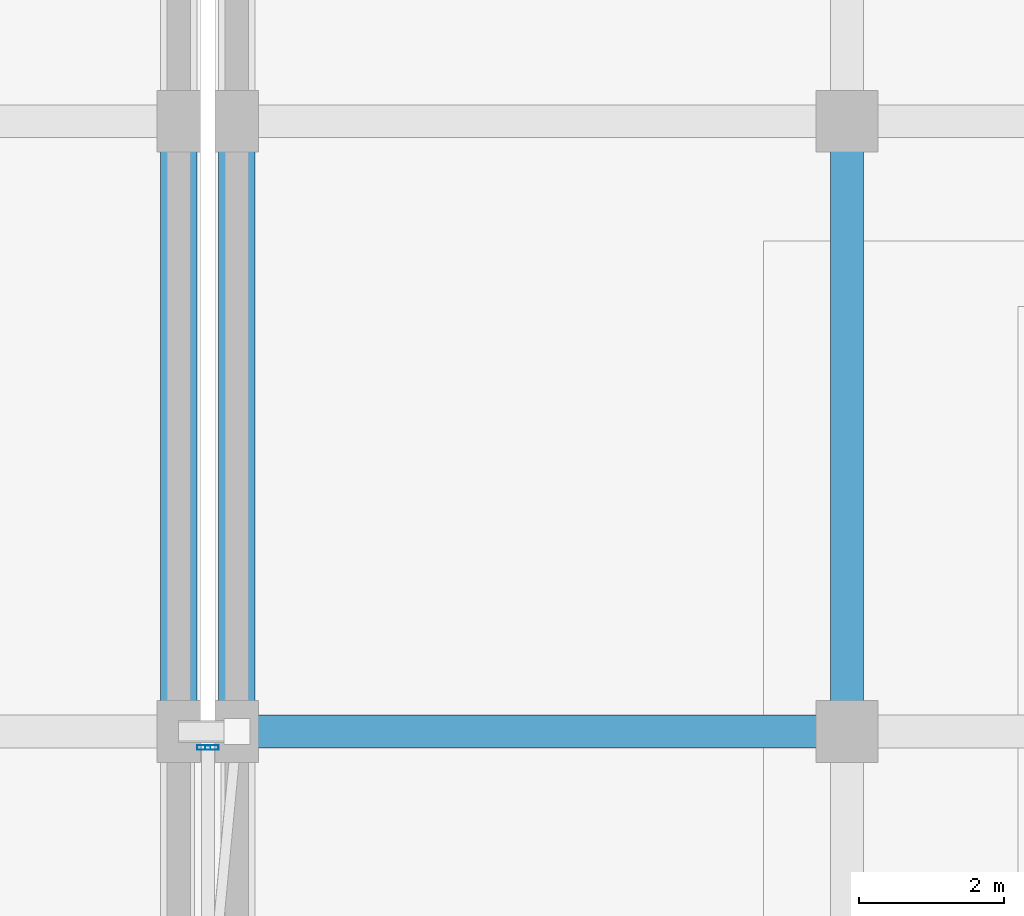
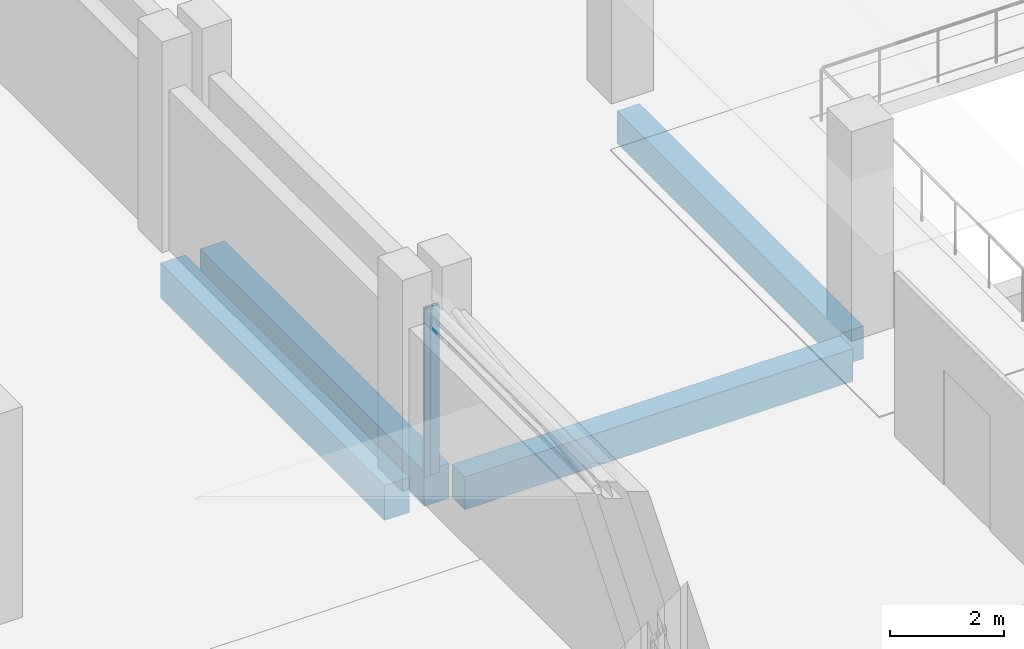
# One storey, part 39 of 137: 4 beams, 2 members, 1 element without a shape of its own.
"""IFC4 building model written with IfcOpenShell, lengths in metres."""

from ifc_helpers import new_model, si_unit, direction, frame, origin, origin_2d, place, context, subcontext, project, spatial, rectangle, hollow_rectangle, extrude, material, layer, layer_set, material_profile, profile_set, type_object, element, aggregate, save


model = new_model("IFC4")

# Units and contexts
model_context = context("Model", 3, precision=1e-05, world=origin(), true_north=direction((0.0, 1.0)))
body_context = subcontext(model_context, "Body", "Model", "MODEL_VIEW")
ifc_project = project(units=[si_unit("LENGTHUNIT", "METRE"), si_unit("AREAUNIT", "SQUARE_METRE"), si_unit("VOLUMEUNIT", "CUBIC_METRE"), si_unit("PLANEANGLEUNIT", "RADIAN"), si_unit("MASSUNIT", "GRAM", prefix="KILO")], contexts=[model_context])

# Site, building, storey
site_placement = place(None, origin())
site = spatial("IfcSite", under=ifc_project, at=site_placement, CompositionType="ELEMENT")
building_placement = place(site_placement, origin())
building = spatial("IfcBuilding", under=site, at=building_placement, Name="Xazarin Passage Department Store", CompositionType="ELEMENT")
storey_placement = place(building_placement, frame((0.0, 0.0, 5.39990234375)))
storey = spatial("IfcBuildingStorey", under=building, at=storey_placement, Name="L01", CompositionType="ELEMENT", Elevation=5.39990234375)

# Curtain wall, members
ifc_material_1 = material(Name="Bronze anodised aluminium", Category="aluminium")
ifc_layer = layer(ifc_material_1, 0.14990234375)
ifc_layer_set = layer_set([ifc_layer], Name="Bronze anodised aluminium")
curtain_wall_type = type_object("IfcCurtainWallType", Name="ARC-CW-BRG1", PredefinedType="NOTDEFINED", material=ifc_layer_set)
curtain_wall_placement = place(storey_placement, origin())
curtain_wall = element("IfcCurtainWall", 1, at=curtain_wall_placement, inside=storey, type_object=curtain_wall_type, Name="L01 BR-V2S-V3 Bridge Curtain Wall 2", PredefinedType="NOTDEFINED")
ifc_material_profile_1 = material_profile(ifc_material_1, hollow_rectangle(XDim=0.06494140625, YDim=0.179931640625, WallThickness=0.00390625, at=origin_2d()), Name="ALU 65x180")
ifc_profile_set_1 = profile_set([ifc_material_profile_1], Name="Bronze anodised aluminium")
member_type = type_object("IfcMemberType", Name="ARC-CWM-65x180", PredefinedType="MULLION", material=ifc_profile_set_1)
member_1_placement = place(storey_placement, frame((67.54248046875, 33.3798828125, 0.0), z_axis=(0.0, 0.0, 1.0), x_axis=(0.0, 1.0, 0.0)))
member_1 = element("IfcMember", 2, at=member_1_placement, type_object=member_type, Name="CW7 mullion 1", PredefinedType="MULLION", context=body_context, shape_type="SweptSolid", body=[
    extrude(hollow_rectangle(XDim=0.06494140625, YDim=0.179931640625, WallThickness=0.00390625, at=origin_2d()), origin(), (0.0, 0.0, 1.0), 3.60009765625),
])
member_2_placement = place(storey_placement, frame((67.657470703125, 33.3798828125, 0.0), z_axis=(0.0, 0.0, 1.0), x_axis=(0.0, 1.0, 0.0)))
member_2 = element("IfcMember", 3, at=member_2_placement, type_object=member_type, Name="CW7 mullion 2", PredefinedType="MULLION", context=body_context, shape_type="SweptSolid", body=[
    extrude(hollow_rectangle(XDim=0.06494140625, YDim=0.179931640625, WallThickness=0.00390625, at=origin_2d()), origin(), (0.0, 0.0, 1.0), 3.60009765625),
])
aggregate(curtain_wall, [member_1, member_2])

# Beams
ifc_material_2 = material(Name="Concrete C35/45", Category="concrete")
ifc_material_profile_2 = material_profile(ifc_material_2, rectangle(XDim=0.449951171875, YDim=0.699951171875, at=origin_2d()), Name="RC 450x700")
ifc_profile_set_2 = profile_set([ifc_material_profile_2], Name="Concrete C35/45")
beam_type_1 = type_object("IfcBeamType", Name="STR-BM-G450x700", PredefinedType="BEAM", material=ifc_profile_set_2)
for number, where, z_axis, x_axis, name in (
    (4, (68.280029296875, 33.60009765625, -0.64990234375), (1.0, 0.0, 0.0), (0.0, 1.0, 0.0), "L01 Grid Beam E/10-11"),
    (5, (76.39990234375, 33.8798828125, -0.64990234375), (0.0, 1.0, 0.0), (-1.0, 0.0, 0.0), "L01 Grid Beam 11/E-F"),
):
    element("IfcBeam", number, at=place(storey_placement, frame(where, z_axis=z_axis, x_axis=x_axis)), inside=storey, type_object=beam_type_1, Name=name, PredefinedType="BEAM", context=body_context, shape_type="SweptSolid", body=[
        extrude(rectangle(XDim=0.449951171875, YDim=0.699951171875, at=origin_2d()), origin(), (0.0, 0.0, 1.0), 7.840087890625),
    ])
ifc_material_profile_3 = material_profile(ifc_material_2, rectangle(XDim=0.5, YDim=0.75, at=origin_2d()), Name="RC 500x750")
ifc_profile_set_3 = profile_set([ifc_material_profile_3], Name="Concrete C35/45")
beam_type_2 = type_object("IfcBeamType", Name="STR-BM-SP500x750", PredefinedType="SPANDREL", material=ifc_profile_set_3)
for number, where, z_axis, x_axis, name in (
    (6, (68.0, 33.8798828125, -0.6748046875), (0.0, 1.0, 0.0), (-1.0, 0.0, 0.0), "L01 Grid Beam 10/E-F"),
    (7, (67.199951171875, 33.8798828125, -0.69482421875), (0.0, 1.0, 0.0), (-1.0, 0.0, 0.0), "L01 Grid Beam 9/E-F"),
):
    element("IfcBeam", number, at=place(storey_placement, frame(where, z_axis=z_axis, x_axis=x_axis)), inside=storey, type_object=beam_type_2, Name=name, PredefinedType="SPANDREL", context=body_context, shape_type="SweptSolid", body=[
        extrude(rectangle(XDim=0.5, YDim=0.75, at=origin_2d()), origin(), (0.0, 0.0, 1.0), 7.840087890625),
    ])

save(model, "model.ifc")
